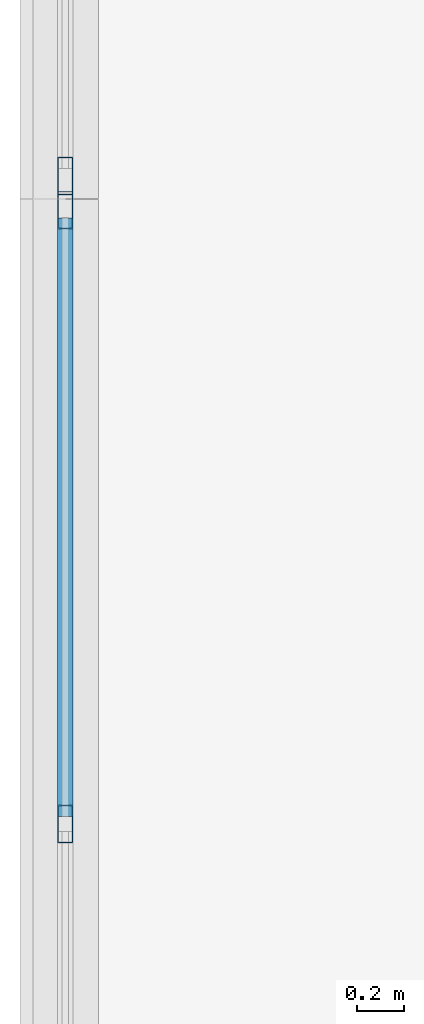
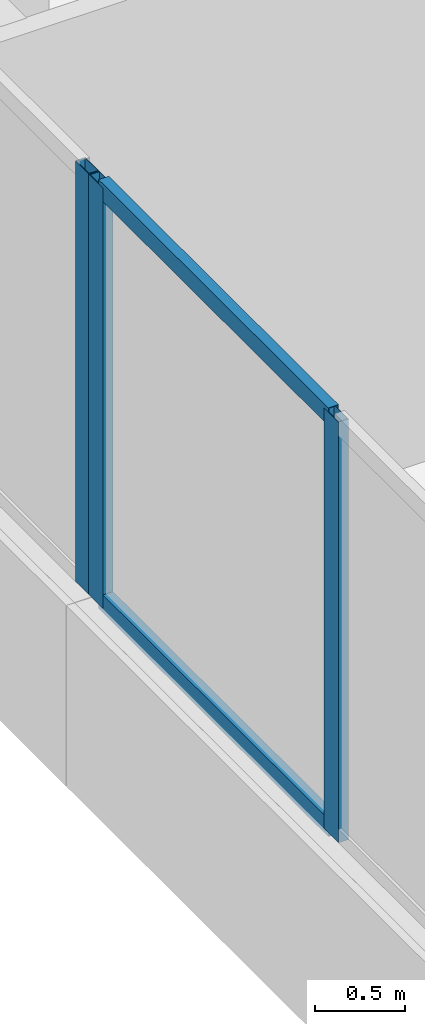
# One storey, part 14 of 76: 5 members, 2 elements without a shape of their own.
"""IFC4 building model written with IfcOpenShell, lengths in metres."""

from ifc_helpers import new_model, si_unit, direction, frame, origin, origin_2d, place, context, subcontext, project, spatial, hollow_rectangle, extrude, material, material_profile, profile_set, type_object, element, aggregate, save


model = new_model("IFC4")

# Units and contexts
model_context = context("Model", 3, precision=1e-05, world=origin(), true_north=direction((0.0, 1.0)))
body_context = subcontext(model_context, "Body", "Model", "MODEL_VIEW")
ifc_project = project(units=[si_unit("LENGTHUNIT", "METRE"), si_unit("AREAUNIT", "SQUARE_METRE"), si_unit("VOLUMEUNIT", "CUBIC_METRE"), si_unit("PLANEANGLEUNIT", "RADIAN"), si_unit("MASSUNIT", "GRAM", prefix="KILO")], contexts=[model_context])

# Site, building, storey
site_placement = place(None, origin())
site = spatial("IfcSite", under=ifc_project, at=site_placement, CompositionType="ELEMENT")
building_placement = place(site_placement, origin())
building = spatial("IfcBuilding", under=site, at=building_placement, Name="Selatvlak General Hospital", CompositionType="ELEMENT")
storey_placement = place(building_placement, frame((0.0, 0.0, 27.300048828125)))
storey = spatial("IfcBuildingStorey", under=building, at=storey_placement, Name="L06", CompositionType="ELEMENT", Elevation=27.300048828125)

# Curtain wall, members
ifc_material_1 = material(Name="Solar-control Low-E double glazing", Category="glass")
curtain_wall_type_1 = type_object("IfcCurtainWallType", Name="CW-CW-01", PredefinedType="USERDEFINED", material=ifc_material_1)
curtain_wall_1_placement = place(storey_placement, origin())
curtain_wall_1 = element("IfcCurtainWall", 1, at=curtain_wall_1_placement, inside=storey, type_object=curtain_wall_type_1, Name="Glazed facade curtain wall CW-L06-0595", ObjectType="UNITISED CURTAIN WALL", PredefinedType="USERDEFINED")
ifc_material_2 = material(Name="Dark anodised aluminium mullion", Category="aluminium")
ifc_material_profile_1 = material_profile(ifc_material_2, hollow_rectangle(XDim=0.06494140625, YDim=0.159912109375, WallThickness=0.00390625, at=origin_2d()), Name="AL-MUL 65x160x4")
ifc_profile_set_1 = profile_set([ifc_material_profile_1], Name="Dark anodised aluminium mullion")
member_type_1 = type_object("IfcMemberType", Name="CWM-01", PredefinedType="MULLION", material=ifc_profile_set_1)
member_1_placement = place(storey_placement, frame((22.800048828125, 101.34423828125, 0.93994140625), z_axis=(0.0, 0.0, 1.0), x_axis=(-1.0, 0.0, 0.0)))
member_1 = element("IfcMember", 2, at=member_1_placement, type_object=member_type_1, Name="CW-01 mullion 3", PredefinedType="MULLION", context=body_context, shape_type="SweptSolid", body=[
    extrude(hollow_rectangle(XDim=0.06494140625, YDim=0.159912109375, WallThickness=0.00390625, at=origin_2d()), origin(), (0.0, 0.0, 1.0), 2.840087890625),
])
member_2_placement = place(storey_placement, frame((22.800048828125, 103.951416015625, 0.93994140625), z_axis=(0.0, 0.0, 1.0), x_axis=(-1.0, 0.0, 0.0)))
member_2 = element("IfcMember", 3, at=member_2_placement, type_object=member_type_1, Name="CW-01 mullion 4", PredefinedType="MULLION", context=body_context, shape_type="SweptSolid", body=[
    extrude(hollow_rectangle(XDim=0.06494140625, YDim=0.159912109375, WallThickness=0.00390625, at=origin_2d()), origin(), (0.0, 0.0, 1.0), 2.840087890625),
])

# Curtain wall, member
curtain_wall_type_2 = type_object("IfcCurtainWallType", Name="CW-CW-02", PredefinedType="USERDEFINED", material=ifc_material_1)
curtain_wall_2_placement = place(storey_placement, origin())
curtain_wall_2 = element("IfcCurtainWall", 4, at=curtain_wall_2_placement, inside=storey, type_object=curtain_wall_type_2, Name="Glazed facade curtain wall CW-L06-0596", ObjectType="UNITISED CURTAIN WALL", PredefinedType="USERDEFINED")
member_3_placement = place(storey_placement, frame((22.800048828125, 104.096435546875, 0.93994140625), z_axis=(0.0, 0.0, 1.0), x_axis=(-1.0, 0.0, 0.0)))
member_3 = element("IfcMember", 5, at=member_3_placement, type_object=member_type_1, Name="CW-02 mullion 1", PredefinedType="MULLION", context=body_context, shape_type="SweptSolid", body=[
    extrude(hollow_rectangle(XDim=0.06494140625, YDim=0.159912109375, WallThickness=0.00390625, at=origin_2d()), origin(), (0.0, 0.0, 1.0), 2.840087890625),
])
aggregate(curtain_wall_2, [member_3])

# Member
ifc_material_profile_2 = material_profile(ifc_material_2, hollow_rectangle(XDim=0.06494140625, YDim=0.1201171875, WallThickness=0.00390625, at=origin_2d()), Name="AL-TRN 65x120x4")
ifc_profile_set_2 = profile_set([ifc_material_profile_2], Name="Dark anodised aluminium mullion")
member_type_2 = type_object("IfcMemberType", Name="CWT-01", PredefinedType="USERDEFINED", material=ifc_profile_set_2)
member_4_placement = place(storey_placement, frame((22.800048828125, 101.376953125, 0.972412109375), z_axis=(0.0, 1.0, 0.0), x_axis=(-1.0, 0.0, 0.0)))
member_4 = element("IfcMember", 6, at=member_4_placement, type_object=member_type_2, Name="CW-01 transom 3.1", ObjectType="TRANSOM", PredefinedType="USERDEFINED", context=body_context, shape_type="SweptSolid", body=[
    extrude(hollow_rectangle(XDim=0.06494140625, YDim=0.1201171875, WallThickness=0.00390625, at=origin_2d()), origin(), (0.0, 0.0, 1.0), 2.5419921875),
])

member_5_placement = place(storey_placement, frame((22.800048828125, 101.376953125, 3.74755859375), z_axis=(0.0, 1.0, 0.0), x_axis=(-1.0, 0.0, 0.0)))
member_5 = element("IfcMember", 7, at=member_5_placement, type_object=member_type_2, Name="CW-01 transom 3.2", ObjectType="TRANSOM", PredefinedType="USERDEFINED", context=body_context, shape_type="SweptSolid", body=[
    extrude(hollow_rectangle(XDim=0.06494140625, YDim=0.1201171875, WallThickness=0.00390625, at=origin_2d()), origin(), (0.0, 0.0, 1.0), 2.5419921875),
])

aggregate(curtain_wall_1, [member_1, member_2, member_4, member_5])

save(model, "model.ifc")
